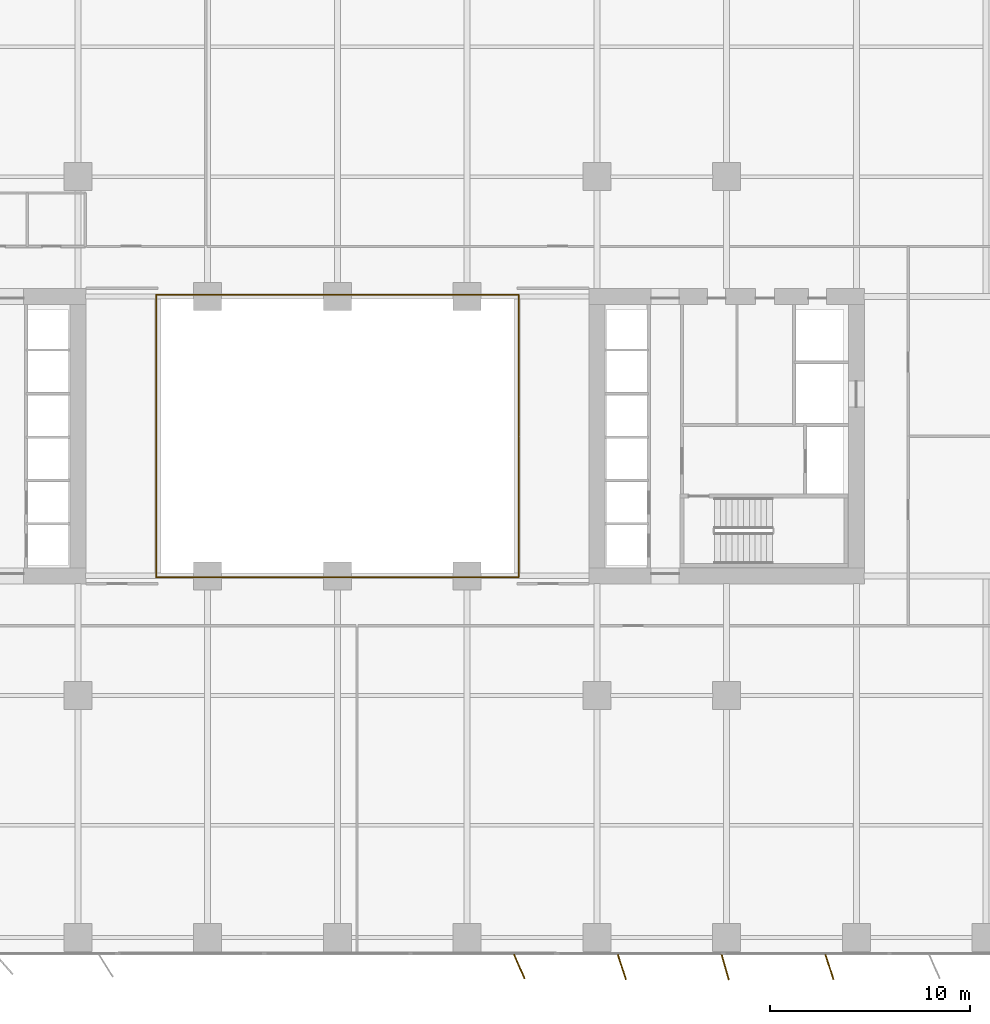
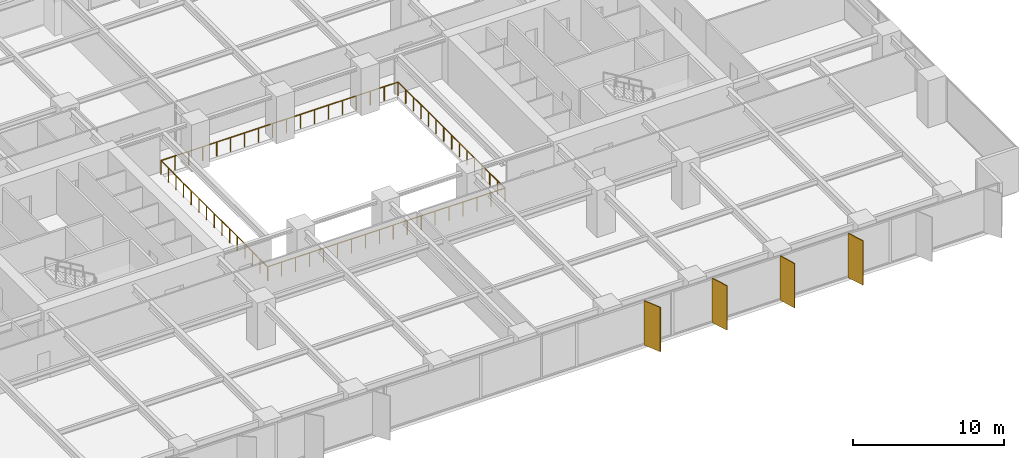
# One storey, part 18 of 20: 4 shading devices, 2 railings.
"""IFC4 building model written with IfcOpenShell, lengths in metres."""

import ifcopenshell
import ifcopenshell.guid

model = None  # the IFC model being written
_history = None  # IfcOwnerHistory: only IFC2X3 demands one
_inside = {}  # id of a spatial element -> (the spatial element, [elements in it])
_under = {}  # id of a project, library or spatial element -> (it, [spatial elements below it])
_declared = {}  # id of a project -> (the project, [libraries it declares])
_typed = {}  # id of a type object -> (the type object, [elements of that type])
_made_of = {}  # id of a material, layer set ... -> (it, [elements and type objects made of it])


def new_model(schema):
    """Start an empty IFC model of exactly this schema.

    Asked for "IFC4X3", IfcOpenShell would pick the latest addendum, in which some entities
    have other attributes; the version numbers below select the first issue.
    IFC2X3 requires an IfcOwnerHistory on every rooted entity: one is made here for all.
    """
    global model, _history
    if schema == "IFC4X3":
        model = ifcopenshell.file(schema_version=(4, 3, 0, 0))
    else:
        model = ifcopenshell.file(schema=schema)
    _inside.clear()
    _under.clear()
    _declared.clear()
    _typed.clear()
    _made_of.clear()
    _history = None
    if model.schema == "IFC2X3":
        org = make("IfcOrganization", Name="unknown")
        user = make(
            "IfcPersonAndOrganization",
            ThePerson=make("IfcPerson", FamilyName="unknown"),
            TheOrganization=org,
        )
        app = make(
            "IfcApplication",
            ApplicationDeveloper=org,
            Version="unknown",
            ApplicationFullName="unknown",
            ApplicationIdentifier="unknown",
        )
        _history = make(
            "IfcOwnerHistory",
            OwningUser=user,
            OwningApplication=app,
            ChangeAction="ADDED",
            CreationDate=0,
        )
    return model


def make(cls, **values):
    """One entity of the class cls with the attributes given. An attribute that is None is left unset."""
    return model.create_entity(
        cls, **{name: value for name, value in values.items() if value is not None}
    )


def rooted(cls, **values):
    """An entity with a GlobalId (a new one), such as an element, a storey or a relation."""
    return make(cls, GlobalId=ifcopenshell.guid.new(), OwnerHistory=_history, **values)


def si_unit(unit_type, name, prefix=None):
    """IfcSIUnit, for example si_unit("LENGTHUNIT", "METRE", prefix="MILLI")."""
    return make("IfcSIUnit", UnitType=unit_type, Prefix=prefix, Name=name)


def assignment(units):
    """IfcUnitAssignment: the units of a project."""
    return None if units is None else make("IfcUnitAssignment", Units=units)


def point(xyz):
    """IfcCartesianPoint."""
    return None if xyz is None else make("IfcCartesianPoint", Coordinates=xyz)


def direction(xyz):
    """IfcDirection."""
    return None if xyz is None else make("IfcDirection", DirectionRatios=xyz)


def frame(location, z_axis=None, x_axis=None):
    """IfcAxis2Placement3D, a coordinate frame: its origin and axes. An axis left out is left unset."""
    return make(
        "IfcAxis2Placement3D",
        Location=point(location),
        Axis=direction(z_axis),
        RefDirection=direction(x_axis),
    )


def frame_2d(location, x_axis=None):
    """IfcAxis2Placement2D, a coordinate frame in the plane: its origin and x axis."""
    return make(
        "IfcAxis2Placement2D", Location=point(location), RefDirection=direction(x_axis)
    )


def origin():
    """The frame at (0, 0, 0) with its axes left unset."""
    return frame((0.0, 0.0, 0.0))


def origin_2d():
    """The frame at (0, 0) in the plane with its x axis left unset."""
    return frame_2d((0.0, 0.0))


def place(relative_to, where):
    """IfcLocalPlacement: puts the frame where relative to a parent placement (None: the world)."""
    return make(
        "IfcLocalPlacement", PlacementRelTo=relative_to, RelativePlacement=where
    )


def context(
    kind, dimensions, precision=None, world=None, true_north=None, identifier=None
):
    """IfcGeometricRepresentationContext, for example the 3D "Model" context."""
    return make(
        "IfcGeometricRepresentationContext",
        ContextIdentifier=identifier,
        ContextType=kind,
        CoordinateSpaceDimension=dimensions,
        Precision=precision,
        WorldCoordinateSystem=world,
        TrueNorth=true_north,
    )


def subcontext(parent, identifier, kind, view, scale=None):
    """IfcGeometricRepresentationSubContext, for example "Body" below "Model"."""
    return make(
        "IfcGeometricRepresentationSubContext",
        ContextIdentifier=identifier,
        ContextType=kind,
        ParentContext=parent,
        TargetScale=scale,
        TargetView=view,
    )


def project(units=None, contexts=None):
    """IfcProject with its units and contexts."""
    return rooted(
        "IfcProject",
        Name="project",
        RepresentationContexts=contexts,
        UnitsInContext=assignment(units),
    )


def spatial(cls, under=None, at=None, **own):
    """A site, building, storey or space (cls), placed at a placement, below another one or the project."""
    s = rooted(cls, ObjectPlacement=at, **own)
    if under is not None:
        _under.setdefault(under.id(), (under, []))[1].append(s)
    return s


def profile(cls, at=None, kind="AREA", **sizes):
    """A parametric profile (cls). Its sizes go by their IFC names, for example OverallWidth=200.0."""
    return make(cls, ProfileType=kind, Position=at, **sizes)


def rectangle(**sizes):
    """IfcRectangleProfileDef."""
    return profile("IfcRectangleProfileDef", **sizes)


def circle(**sizes):
    """IfcCircleProfileDef."""
    return profile("IfcCircleProfileDef", **sizes)


def extrude(swept, where, along, depth):
    """IfcExtrudedAreaSolid: the profile swept, set in the frame where, extruded along a direction by depth."""
    return make(
        "IfcExtrudedAreaSolid",
        SweptArea=swept,
        Position=where,
        ExtrudedDirection=direction(along),
        Depth=depth,
    )


def shape(context_of_items, identifier, shape_type, items):
    """IfcShapeRepresentation: the items that make up one representation, for example the "Body"."""
    return make(
        "IfcShapeRepresentation",
        ContextOfItems=context_of_items,
        RepresentationIdentifier=identifier,
        RepresentationType=shape_type,
        Items=items,
    )


def material(Name=None, Category=None):
    """IfcMaterial."""
    return make("IfcMaterial", Name=Name, Category=Category)


def layer(
    of_material, thickness, ventilated=None, Name=None, Category=None, Priority=None
):
    """IfcMaterialLayer: one layer of a wall or slab, of a material (None: an air gap)."""
    return make(
        "IfcMaterialLayer",
        Material=of_material,
        LayerThickness=thickness,
        IsVentilated=ventilated,
        Name=Name,
        Category=Category,
        Priority=Priority,
    )


def layer_set(layers, Name=None):
    """IfcMaterialLayerSet."""
    return make("IfcMaterialLayerSet", MaterialLayers=layers, LayerSetName=Name)


def made_of(thing, what):
    """Note that an element or type object is made of a material, layer set ...; save() writes the relation."""
    if what is not None:
        _made_of.setdefault(what.id(), (what, []))[1].append(thing)
    return thing


def type_object(cls, material=None, **own):
    """A type object (cls), such as IfcWallType, which elements share."""
    return made_of(rooted(cls, **own), material)


def element(
    cls,
    number,
    at=None,
    inside=None,
    cuts=None,
    type_object=None,
    material=None,
    context=None,
    identifier="Body",
    shape_type=None,
    held_by="IfcProductDefinitionShape",
    body=None,
    shapes=None,
    **own,
):
    """One element of the class cls, such as IfcWall. Its Tag is "e" and its number.

    at: its placement. inside: the storey or other place that contains it. cuts: it is an
    opening in that element (IfcRelVoidsElement). A single representation is given by context,
    identifier, shape_type and body (its items); several are given by shapes. held_by: the class
    of the entity that holds the representations. save() writes the other relations.
    """
    e = rooted(cls, Tag="e%d" % number, ObjectPlacement=at, **own)
    if body is not None:
        shapes = [shape(context, identifier, shape_type, body)]
    if shapes is not None:
        e.Representation = make(held_by, Representations=shapes)
    if inside is not None:
        _inside.setdefault(inside.id(), (inside, []))[1].append(e)
    if cuts is not None:
        rooted(
            "IfcRelVoidsElement", RelatingBuildingElement=cuts, RelatedOpeningElement=e
        )
    if type_object is not None:
        _typed.setdefault(type_object.id(), (type_object, []))[1].append(e)
    return made_of(e, material)


def aggregate(whole, parts):
    """IfcRelAggregates: a whole, such as a stair, and the parts it consists of."""
    return rooted("IfcRelAggregates", RelatingObject=whole, RelatedObjects=parts)


def save(model, path):
    """Write the relations noted so far, then the file.

    IfcRelAggregates (storeys below a building ...), IfcRelContainedInSpatialStructure (elements
    in a storey), IfcRelDefinesByType, IfcRelAssociatesMaterial and IfcRelDeclares: one each for
    every whole, place, type object, material and project.
    """
    for whole, parts in _under.values():
        aggregate(whole, parts)
    for where, things in _inside.values():
        rooted(
            "IfcRelContainedInSpatialStructure",
            RelatedElements=things,
            RelatingStructure=where,
        )
    for kind, things in _typed.values():
        rooted("IfcRelDefinesByType", RelatedObjects=things, RelatingType=kind)
    for what, things in _made_of.values():
        rooted("IfcRelAssociatesMaterial", RelatedObjects=things, RelatingMaterial=what)
    for by, libraries in _declared.values():
        rooted("IfcRelDeclares", RelatingContext=by, RelatedDefinitions=libraries)
    model.write(path)


model = new_model("IFC4")

# Units and contexts
model_context = context("Model", 3, precision=1e-05, world=origin(), true_north=direction((0.0, 1.0)))
body_context = subcontext(model_context, "Body", "Model", "MODEL_VIEW")
ifc_project = project(units=[si_unit("LENGTHUNIT", "METRE"), si_unit("AREAUNIT", "SQUARE_METRE"), si_unit("VOLUMEUNIT", "CUBIC_METRE"), si_unit("PLANEANGLEUNIT", "RADIAN"), si_unit("MASSUNIT", "GRAM", prefix="KILO")], contexts=[model_context])

# Site, building, storey
site_placement = place(None, origin())
site = spatial("IfcSite", under=ifc_project, at=site_placement, CompositionType="ELEMENT")
building_placement = place(site_placement, origin())
building = spatial("IfcBuilding", under=site, at=building_placement, Name="Putna Gate Headquarters", CompositionType="ELEMENT")
storey_placement = place(building_placement, frame((0.0, 0.0, 27.800048828125)))
storey = spatial("IfcBuildingStorey", under=building, at=storey_placement, Name="L05", CompositionType="ELEMENT", Elevation=27.800048828125)

# Railings
ifc_material_1 = material(Name="Anodised bronze and laminated glass atrium balustrade", Category="glass")
railing_type = type_object("IfcRailingType", Name="RAIL-ATRIUM-GUARD-1150", PredefinedType="GUARDRAIL", material=ifc_material_1)
railing_1_placement = place(storey_placement, frame((29.919921875, 25.969970703125, 0.0)))
element("IfcRailing", 1, at=railing_1_placement, inside=storey, type_object=railing_type, Name="L05 Central Atrium Glazed Balustrade South", PredefinedType="GUARDRAIL", context=body_context, shape_type="SweptSolid", body=[
    extrude(circle(Radius=0.02392578125, at=origin_2d()), frame((0.0, 0.0, 1.1259765625), z_axis=(0.0, -1.0, 0.0), x_axis=(1.0, 0.0, 0.0)), (0.0, 0.0, 1.0), 7.050048828125),
    extrude(circle(Radius=0.02392578125, at=origin_2d()), frame((0.0, -7.050048828125, 1.1259765625), z_axis=(1.0, 0.0, 0.0), x_axis=(0.0, 1.0, 0.0)), (0.0, 0.0, 1.0), 18.16015625),
    extrude(circle(Radius=0.02392578125, at=origin_2d()), frame((18.16015625, -7.050048828125, 1.1259765625), z_axis=(0.0, 1.0, 0.0), x_axis=(-1.0, 0.0, 0.0)), (0.0, 0.0, 1.0), 7.050048828125),
    extrude(circle(Radius=0.02099609375, at=origin_2d()), origin(), (0.0, 0.0, 1.0), 1.101806640625),
    extrude(circle(Radius=0.02099609375, at=origin_2d()), frame((0.0, -1.007080078125, 0.0)), (0.0, 0.0, 1.0), 1.101806640625),
    extrude(circle(Radius=0.02099609375, at=origin_2d()), frame((0.0, -2.014404296875, 0.0)), (0.0, 0.0, 1.0), 1.101806640625),
    extrude(circle(Radius=0.02099609375, at=origin_2d()), frame((0.0, -3.021484375, 0.0)), (0.0, 0.0, 1.0), 1.101806640625),
    extrude(circle(Radius=0.02099609375, at=origin_2d()), frame((0.0, -4.028564453125, 0.0)), (0.0, 0.0, 1.0), 1.101806640625),
    extrude(circle(Radius=0.02099609375, at=origin_2d()), frame((0.0, -5.03564453125, 0.0)), (0.0, 0.0, 1.0), 1.101806640625),
    extrude(circle(Radius=0.02099609375, at=origin_2d()), frame((0.0, -6.04296875, 0.0)), (0.0, 0.0, 1.0), 1.101806640625),
    extrude(circle(Radius=0.02099609375, at=origin_2d()), frame((0.0, -7.050048828125, 0.0)), (0.0, 0.0, 1.0), 1.101806640625),
    extrude(circle(Radius=0.02099609375, at=origin_2d()), frame((1.068359375, -7.050048828125, 0.0)), (0.0, 0.0, 1.0), 1.101806640625),
    extrude(circle(Radius=0.02099609375, at=origin_2d()), frame((2.136474609375, -7.050048828125, 0.0)), (0.0, 0.0, 1.0), 1.101806640625),
    extrude(circle(Radius=0.02099609375, at=origin_2d()), frame((3.204833984375, -7.050048828125, 0.0)), (0.0, 0.0, 1.0), 1.101806640625),
    extrude(circle(Radius=0.02099609375, at=origin_2d()), frame((4.27294921875, -7.050048828125, 0.0)), (0.0, 0.0, 1.0), 1.101806640625),
    extrude(circle(Radius=0.02099609375, at=origin_2d()), frame((5.34130859375, -7.050048828125, 0.0)), (0.0, 0.0, 1.0), 1.101806640625),
    extrude(circle(Radius=0.02099609375, at=origin_2d()), frame((6.409423828125, -7.050048828125, 0.0)), (0.0, 0.0, 1.0), 1.101806640625),
    extrude(circle(Radius=0.02099609375, at=origin_2d()), frame((7.477783203125, -7.050048828125, 0.0)), (0.0, 0.0, 1.0), 1.101806640625),
    extrude(circle(Radius=0.02099609375, at=origin_2d()), frame((8.5458984375, -7.050048828125, 0.0)), (0.0, 0.0, 1.0), 1.101806640625),
    extrude(circle(Radius=0.02099609375, at=origin_2d()), frame((9.6142578125, -7.050048828125, 0.0)), (0.0, 0.0, 1.0), 1.101806640625),
    extrude(circle(Radius=0.02099609375, at=origin_2d()), frame((10.682373046875, -7.050048828125, 0.0)), (0.0, 0.0, 1.0), 1.101806640625),
    extrude(circle(Radius=0.02099609375, at=origin_2d()), frame((11.750732421875, -7.050048828125, 0.0)), (0.0, 0.0, 1.0), 1.101806640625),
    extrude(circle(Radius=0.02099609375, at=origin_2d()), frame((12.81884765625, -7.050048828125, 0.0)), (0.0, 0.0, 1.0), 1.101806640625),
    extrude(circle(Radius=0.02099609375, at=origin_2d()), frame((13.88720703125, -7.050048828125, 0.0)), (0.0, 0.0, 1.0), 1.101806640625),
    extrude(circle(Radius=0.02099609375, at=origin_2d()), frame((14.955322265625, -7.050048828125, 0.0)), (0.0, 0.0, 1.0), 1.101806640625),
    extrude(circle(Radius=0.02099609375, at=origin_2d()), frame((16.023681640625, -7.050048828125, 0.0)), (0.0, 0.0, 1.0), 1.101806640625),
    extrude(circle(Radius=0.02099609375, at=origin_2d()), frame((17.091796875, -7.050048828125, 0.0)), (0.0, 0.0, 1.0), 1.101806640625),
    extrude(circle(Radius=0.02099609375, at=origin_2d()), frame((18.16015625, -7.050048828125, 0.0)), (0.0, 0.0, 1.0), 1.101806640625),
    extrude(circle(Radius=0.02099609375, at=origin_2d()), frame((18.16015625, -6.04296875, 0.0)), (0.0, 0.0, 1.0), 1.101806640625),
    extrude(circle(Radius=0.02099609375, at=origin_2d()), frame((18.16015625, -5.03564453125, 0.0)), (0.0, 0.0, 1.0), 1.101806640625),
    extrude(circle(Radius=0.02099609375, at=origin_2d()), frame((18.16015625, -4.028564453125, 0.0)), (0.0, 0.0, 1.0), 1.101806640625),
    extrude(circle(Radius=0.02099609375, at=origin_2d()), frame((18.16015625, -3.021484375, 0.0)), (0.0, 0.0, 1.0), 1.101806640625),
    extrude(circle(Radius=0.02099609375, at=origin_2d()), frame((18.16015625, -2.014404296875, 0.0)), (0.0, 0.0, 1.0), 1.101806640625),
    extrude(circle(Radius=0.02099609375, at=origin_2d()), frame((18.16015625, -1.007080078125, 0.0)), (0.0, 0.0, 1.0), 1.101806640625),
    extrude(circle(Radius=0.02099609375, at=origin_2d()), frame((18.16015625, 0.0, 0.0)), (0.0, 0.0, 1.0), 1.101806640625),
])
railing_2_placement = place(storey_placement, frame((48.080078125, 26.030029296875, 0.0)))
element("IfcRailing", 2, at=railing_2_placement, inside=storey, type_object=railing_type, Name="L05 Central Atrium Glazed Balustrade North", PredefinedType="GUARDRAIL", context=body_context, shape_type="SweptSolid", body=[
    extrude(circle(Radius=0.02392578125, at=origin_2d()), frame((0.0, 0.0, 1.1259765625), z_axis=(0.0, 1.0, 0.0), x_axis=(-1.0, 0.0, 0.0)), (0.0, 0.0, 1.0), 7.050048828125),
    extrude(circle(Radius=0.02392578125, at=origin_2d()), frame((0.0, 7.050048828125, 1.1259765625), z_axis=(-1.0, 0.0, 0.0), x_axis=(0.0, -1.0, 0.0)), (0.0, 0.0, 1.0), 18.16015625),
    extrude(circle(Radius=0.02392578125, at=origin_2d()), frame((-18.16015625, 7.050048828125, 1.1259765625), z_axis=(0.0, -1.0, 0.0), x_axis=(1.0, 0.0, 0.0)), (0.0, 0.0, 1.0), 7.050048828125),
    extrude(circle(Radius=0.02099609375, at=origin_2d()), origin(), (0.0, 0.0, 1.0), 1.101806640625),
    extrude(circle(Radius=0.02099609375, at=origin_2d()), frame((0.0, 1.007080078125, 0.0)), (0.0, 0.0, 1.0), 1.101806640625),
    extrude(circle(Radius=0.02099609375, at=origin_2d()), frame((0.0, 2.014404296875, 0.0)), (0.0, 0.0, 1.0), 1.101806640625),
    extrude(circle(Radius=0.02099609375, at=origin_2d()), frame((0.0, 3.021484375, 0.0)), (0.0, 0.0, 1.0), 1.101806640625),
    extrude(circle(Radius=0.02099609375, at=origin_2d()), frame((0.0, 4.028564453125, 0.0)), (0.0, 0.0, 1.0), 1.101806640625),
    extrude(circle(Radius=0.02099609375, at=origin_2d()), frame((0.0, 5.03564453125, 0.0)), (0.0, 0.0, 1.0), 1.101806640625),
    extrude(circle(Radius=0.02099609375, at=origin_2d()), frame((0.0, 6.04296875, 0.0)), (0.0, 0.0, 1.0), 1.101806640625),
    extrude(circle(Radius=0.02099609375, at=origin_2d()), frame((0.0, 7.050048828125, 0.0)), (0.0, 0.0, 1.0), 1.101806640625),
    extrude(circle(Radius=0.02099609375, at=origin_2d()), frame((-1.068359375, 7.050048828125, 0.0)), (0.0, 0.0, 1.0), 1.101806640625),
    extrude(circle(Radius=0.02099609375, at=origin_2d()), frame((-2.136474609375, 7.050048828125, 0.0)), (0.0, 0.0, 1.0), 1.101806640625),
    extrude(circle(Radius=0.02099609375, at=origin_2d()), frame((-3.204833984375, 7.050048828125, 0.0)), (0.0, 0.0, 1.0), 1.101806640625),
    extrude(circle(Radius=0.02099609375, at=origin_2d()), frame((-4.27294921875, 7.050048828125, 0.0)), (0.0, 0.0, 1.0), 1.101806640625),
    extrude(circle(Radius=0.02099609375, at=origin_2d()), frame((-5.34130859375, 7.050048828125, 0.0)), (0.0, 0.0, 1.0), 1.101806640625),
    extrude(circle(Radius=0.02099609375, at=origin_2d()), frame((-6.409423828125, 7.050048828125, 0.0)), (0.0, 0.0, 1.0), 1.101806640625),
    extrude(circle(Radius=0.02099609375, at=origin_2d()), frame((-7.477783203125, 7.050048828125, 0.0)), (0.0, 0.0, 1.0), 1.101806640625),
    extrude(circle(Radius=0.02099609375, at=origin_2d()), frame((-8.5458984375, 7.050048828125, 0.0)), (0.0, 0.0, 1.0), 1.101806640625),
    extrude(circle(Radius=0.02099609375, at=origin_2d()), frame((-9.6142578125, 7.050048828125, 0.0)), (0.0, 0.0, 1.0), 1.101806640625),
    extrude(circle(Radius=0.02099609375, at=origin_2d()), frame((-10.682373046875, 7.050048828125, 0.0)), (0.0, 0.0, 1.0), 1.101806640625),
    extrude(circle(Radius=0.02099609375, at=origin_2d()), frame((-11.750732421875, 7.050048828125, 0.0)), (0.0, 0.0, 1.0), 1.101806640625),
    extrude(circle(Radius=0.02099609375, at=origin_2d()), frame((-12.81884765625, 7.050048828125, 0.0)), (0.0, 0.0, 1.0), 1.101806640625),
    extrude(circle(Radius=0.02099609375, at=origin_2d()), frame((-13.88720703125, 7.050048828125, 0.0)), (0.0, 0.0, 1.0), 1.101806640625),
    extrude(circle(Radius=0.02099609375, at=origin_2d()), frame((-14.955322265625, 7.050048828125, 0.0)), (0.0, 0.0, 1.0), 1.101806640625),
    extrude(circle(Radius=0.02099609375, at=origin_2d()), frame((-16.023681640625, 7.050048828125, 0.0)), (0.0, 0.0, 1.0), 1.101806640625),
    extrude(circle(Radius=0.02099609375, at=origin_2d()), frame((-17.091796875, 7.050048828125, 0.0)), (0.0, 0.0, 1.0), 1.101806640625),
    extrude(circle(Radius=0.02099609375, at=origin_2d()), frame((-18.16015625, 7.050048828125, 0.0)), (0.0, 0.0, 1.0), 1.101806640625),
    extrude(circle(Radius=0.02099609375, at=origin_2d()), frame((-18.16015625, 6.04296875, 0.0)), (0.0, 0.0, 1.0), 1.101806640625),
    extrude(circle(Radius=0.02099609375, at=origin_2d()), frame((-18.16015625, 5.03564453125, 0.0)), (0.0, 0.0, 1.0), 1.101806640625),
    extrude(circle(Radius=0.02099609375, at=origin_2d()), frame((-18.16015625, 4.028564453125, 0.0)), (0.0, 0.0, 1.0), 1.101806640625),
    extrude(circle(Radius=0.02099609375, at=origin_2d()), frame((-18.16015625, 3.021484375, 0.0)), (0.0, 0.0, 1.0), 1.101806640625),
    extrude(circle(Radius=0.02099609375, at=origin_2d()), frame((-18.16015625, 2.014404296875, 0.0)), (0.0, 0.0, 1.0), 1.101806640625),
    extrude(circle(Radius=0.02099609375, at=origin_2d()), frame((-18.16015625, 1.007080078125, 0.0)), (0.0, 0.0, 1.0), 1.101806640625),
    extrude(circle(Radius=0.02099609375, at=origin_2d()), frame((-18.16015625, 0.0, 0.0)), (0.0, 0.0, 1.0), 1.101806640625),
])

# Shading devices
ifc_material_2 = material(Name="Anodised architectural bronze aluminium fin", Category="aluminium")
ifc_layer = layer(ifc_material_2, 0.06494140625)
ifc_layer_set = layer_set([ifc_layer], Name="Anodised architectural bronze aluminium fin")
shading_device_type = type_object("IfcShadingDeviceType", Name="SHADE-BRONZE-FIN-1320", PredefinedType="USERDEFINED", material=ifc_layer_set)
for number, where, z_axis, x_axis, name in (
    (3, (48.114501953125, -0.57958984375, -0.02001953125), (0.0, 0.0, 1.0), (0.400668879095, -0.916222925562, 0.0), "L05 Bronze Vertical Shading Fin S8"),
    (4, (53.253662109375, -0.602783203125, -0.02001953125), (0.0, 0.0, 1.0), (0.308684994204, -0.951164325631, 0.0), "L05 Bronze Vertical Shading Fin S9"),
    (5, (58.431884765625, -0.609375, -0.02001953125), (0.0, 0.0, 1.0), (0.275637355817, -0.961261695938, 0.0), "L05 Bronze Vertical Shading Fin S10"),
    (6, (63.65380859375, -0.602783203125, -0.02001953125), (0.0, 0.0, 1.0), (0.308684994204, -0.951164325631, 0.0), "L05 Bronze Vertical Shading Fin S11"),
):
    element("IfcShadingDevice", number, at=place(storey_placement, frame(where, z_axis=z_axis, x_axis=x_axis)), inside=storey, type_object=shading_device_type, Name=name, ObjectType="FIN", PredefinedType="USERDEFINED", context=body_context, shape_type="SweptSolid", body=[
        extrude(rectangle(XDim=1.320068359375, YDim=0.06494140625, at=origin_2d()), origin(), (0.0, 0.0, 1.0), 3.590087890625),
    ])

save(model, "model.ifc")
